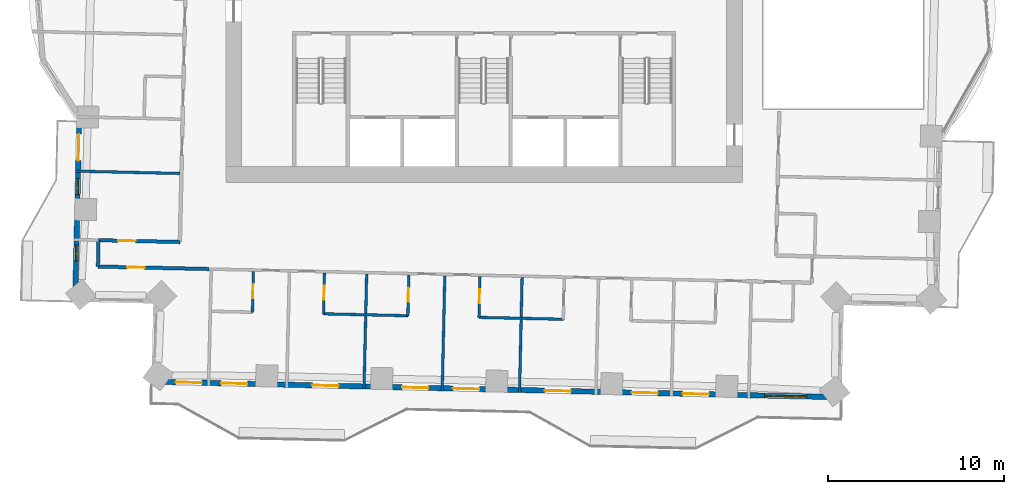
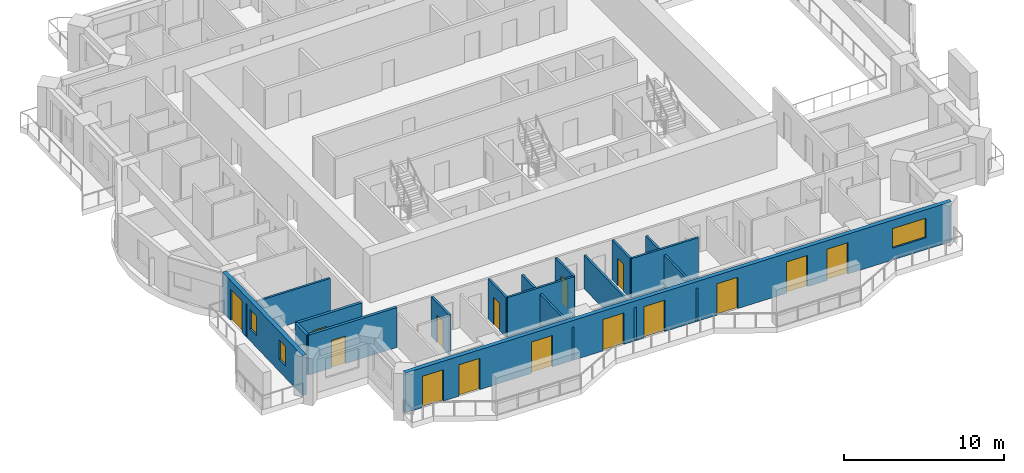
# One storey, part 4 of 14: 15 doors, 15 walls, 3 windows, 18 openings.
"""IFC4 building model written with IfcOpenShell, lengths in metres."""

from ifc_helpers import new_model, si_unit, direction, frame, frame_2d, origin, place, context, subcontext, project, spatial, rectangle, extrude, material, layer, layer_set, type_object, element, fill, save


model = new_model("IFC4")

# Units and contexts
model_context = context("Model", 3, precision=1e-05, world=origin(), true_north=direction((0.0, 1.0)))
body_context = subcontext(model_context, "Body", "Model", "MODEL_VIEW")
ifc_project = project(units=[si_unit("LENGTHUNIT", "METRE"), si_unit("AREAUNIT", "SQUARE_METRE"), si_unit("VOLUMEUNIT", "CUBIC_METRE"), si_unit("PLANEANGLEUNIT", "RADIAN"), si_unit("MASSUNIT", "GRAM", prefix="KILO")], contexts=[model_context])

# Site, building, storey
site_placement = place(None, origin())
site = spatial("IfcSite", under=ifc_project, at=site_placement, CompositionType="ELEMENT")
building_placement = place(site_placement, origin())
building = spatial("IfcBuilding", under=site, at=building_placement, Name="Mangrove Gate Tower", CompositionType="ELEMENT")
storey_placement = place(building_placement, frame((0.0, 0.0, 163.5)))
storey = spatial("IfcBuildingStorey", under=building, at=storey_placement, Name="L41", CompositionType="ELEMENT", Elevation=163.5)

# Wall
ifc_material_1 = material(Name="Gypsum board on steel stud, EI 60", Category="steel")
ifc_layer_1 = layer(ifc_material_1, 0.199951171875)
ifc_layer_set_1 = layer_set([ifc_layer_1], Name="Corridor wall EI 60")
wall_type_1 = type_object("IfcWallType", Name="Corridor wall EI 60", PredefinedType="PARTITIONING", material=ifc_layer_set_1)
wall_1_placement = place(storey_placement, frame((-21.98291015625, -16.492919921875, 0.0), z_axis=(0.0, 0.0, 1.0), x_axis=(0.022617910375, 0.999744182344, 0.0)))
element("IfcWall", 1, at=wall_1_placement, inside=storey, type_object=wall_type_1, Name="WALL-L41-022", PredefinedType="PARTITIONING", context=body_context, shape_type="SweptSolid", body=[
    extrude(rectangle(XDim=1.50048828125, YDim=0.199951171875, at=frame_2d((0.750244140625, 0.0))), origin(), (0.0, 0.0, 1.0), 3.050048828125),
])

# Wall, opening, door
wall_2_placement = place(storey_placement, frame((-21.98291015625, -16.489013671875, 0.0), z_axis=(0.0, 0.0, 1.0), x_axis=(0.999744930163, -0.022584831499, 0.0)))
wall_2 = element("IfcWall", 2, at=wall_2_placement, inside=storey, type_object=wall_type_1, Name="WALL-L41-024", PredefinedType="PARTITIONING", context=body_context, shape_type="SweptSolid", body=[
    extrude(rectangle(XDim=6.334716796875, YDim=0.199951171875, at=frame_2d((3.16748046875, 0.0))), origin(), (0.0, 0.0, 1.0), 3.050048828125),
])
opening_1_placement = place(wall_2_placement, frame((1.6630859375, 0.0, 0.0)))
opening_1 = element("IfcOpeningElement", 3, at=opening_1_placement, cuts=wall_2, Name="Opening AD", PredefinedType="OPENING", context=body_context, shape_type="SweptSolid", body=[
    extrude(rectangle(XDim=1.0, YDim=2.10009765625, at=frame_2d((0.5, 1.050048828125))), frame((0.0, 0.10986328125, 0.0), z_axis=(0.0, -1.0, 0.0), x_axis=(1.0, 0.0, 0.0)), (0.0, 0.0, 1.0), 0.219970703125),
])
ifc_material_2 = material(Name="Timber door leaf", Category="wood")
door_type_1 = type_object("IfcDoorType", Name="Amenity door 1000", OperationType="SINGLE_SWING_LEFT", PredefinedType="DOOR", material=ifc_material_2)
door_1_placement = place(opening_1_placement, origin())
door_1 = element("IfcDoor", 4, at=door_1_placement, inside=storey, type_object=door_type_1, Name="DOOR-L41-STU-c1a", OperationType="SINGLE_SWING_LEFT", OverallHeight=2.10009765625, OverallWidth=1.0, PredefinedType="DOOR", context=body_context, shape_type="SweptSolid", body=[
    extrude(rectangle(XDim=1.0, YDim=2.10009765625, at=frame_2d((0.5, 1.050048828125))), frame((0.0, 0.02490234375, 0.0), z_axis=(0.0, -1.0, 0.0), x_axis=(1.0, 0.0, 0.0)), (0.0, 0.0, 1.0), 0.050048828125),
])
fill(opening_1, door_1)

wall_3_placement = place(storey_placement, frame((-21.948974609375, -14.989013671875, 0.0), z_axis=(0.0, 0.0, 1.0), x_axis=(0.999743491588, -0.022648422179, 0.0)))
wall_3 = element("IfcWall", 5, at=wall_3_placement, inside=storey, type_object=wall_type_1, Name="WALL-L41-031", PredefinedType="PARTITIONING", context=body_context, shape_type="SweptSolid", body=[
    extrude(rectangle(XDim=4.63525390625, YDim=0.199951171875, at=frame_2d((2.317626953125, 0.0))), origin(), (0.0, 0.0, 1.0), 3.050048828125),
])
opening_2_placement = place(wall_3_placement, frame((1.116943359375, 0.0, 0.0)))
opening_2 = element("IfcOpeningElement", 6, at=opening_2_placement, cuts=wall_3, Name="Opening AD", PredefinedType="OPENING", context=body_context, shape_type="SweptSolid", body=[
    extrude(rectangle(XDim=1.0, YDim=2.10009765625, at=frame_2d((0.5, 1.050048828125))), frame((0.0, 0.10986328125, 0.0), z_axis=(0.0, -1.0, 0.0), x_axis=(1.0, 0.0, 0.0)), (0.0, 0.0, 1.0), 0.219970703125),
])
door_2_placement = place(opening_2_placement, origin())
door_2 = element("IfcDoor", 7, at=door_2_placement, inside=storey, type_object=door_type_1, Name="DOOR-L41-KIT-c5d", OperationType="SINGLE_SWING_RIGHT", OverallHeight=2.10009765625, OverallWidth=1.0, PredefinedType="DOOR", context=body_context, shape_type="SweptSolid", body=[
    extrude(rectangle(XDim=1.0, YDim=2.10009765625, at=frame_2d((0.5, 1.050048828125))), frame((0.0, 0.02490234375, 0.0), z_axis=(0.0, -1.0, 0.0), x_axis=(1.0, 0.0, 0.0)), (0.0, 0.0, 1.0), 0.050048828125),
])
fill(opening_2, door_2)

# Wall, openings, door, windows
ifc_material_3 = material(Name="Limestone", Category="masonry")
ifc_layer_2 = layer(ifc_material_3, 0.0400390625, Name="Limestone cladding")
ifc_material_4 = material(Name="Ventilated air gap")
ifc_layer_3 = layer(ifc_material_4, 0.0400390625, Name="Ventilated cavity")
ifc_material_5 = material(Name="Mineral wool insulation")
ifc_layer_4 = layer(ifc_material_5, 0.06005859375, Name="Insulation")
ifc_material_6 = material(Name="Breather membrane")
ifc_layer_5 = layer(ifc_material_6, 0.001953125, Name="Breather membrane")
ifc_material_7 = material(Name="Concrete C20/25 blockwork", Category="masonry")
ifc_layer_6 = layer(ifc_material_7, 0.14990234375, Name="Blockwork backing wall")
ifc_material_8 = material(Name="Gypsum plaster")
ifc_layer_7 = layer(ifc_material_8, 0.008056640625, Name="Internal plaster")
ifc_layer_set_2 = layer_set([ifc_layer_2, ifc_layer_3, ifc_layer_4, ifc_layer_5, ifc_layer_6, ifc_layer_7], Name="External wall 300 limestone cladding")
wall_type_2 = type_object("IfcWallType", Name="External wall 300 limestone cladding", PredefinedType="SOLIDWALL", material=ifc_layer_set_2)
wall_4_placement = place(storey_placement, frame((-23.0380859375, -7.9130859375, 0.0), z_axis=(0.0, 0.0, 1.0), x_axis=(-0.022705985163, -0.999742185885, 0.0)))
wall_4 = element("IfcWall", 8, at=wall_4_placement, inside=storey, type_object=wall_type_2, Name="WALL-L41-W10", PredefinedType="SOLIDWALL", context=body_context, shape_type="SweptSolid", body=[
    extrude(rectangle(XDim=10.4296875, YDim=0.300048828125, at=frame_2d((5.21484375, 0.0))), origin(), (0.0, 0.0, 1.0), 3.050048828125),
])
opening_3_placement = place(wall_4_placement, frame((1.041015625, 0.0, 0.0)))
opening_3 = element("IfcOpeningElement", 9, at=opening_3_placement, cuts=wall_4, Name="Opening BD1", PredefinedType="OPENING", context=body_context, shape_type="SweptSolid", body=[
    extrude(rectangle(XDim=1.5, YDim=2.39990234375, at=frame_2d((0.75, 1.199951171875))), frame((0.0, 0.159912109375, 0.0), z_axis=(0.0, -1.0, 0.0), x_axis=(1.0, 0.0, 0.0)), (0.0, 0.0, 1.0), 0.320068359375),
])
opening_4_placement = place(wall_4_placement, frame((3.572998046875, 0.0, 0.89990234375)))
opening_4 = element("IfcOpeningElement", 10, at=opening_4_placement, cuts=wall_4, Name="Opening W5", PredefinedType="OPENING", context=body_context, shape_type="SweptSolid", body=[
    extrude(rectangle(XDim=0.89990234375, YDim=1.5, at=frame_2d((0.449951171875, 0.75))), frame((0.0, 0.159912109375, 0.0), z_axis=(0.0, -1.0, 0.0), x_axis=(1.0, 0.0, 0.0)), (0.0, 0.0, 1.0), 0.320068359375),
])
opening_5_placement = place(wall_4_placement, frame((7.35302734375, 0.0, 0.89990234375)))
opening_5 = element("IfcOpeningElement", 11, at=opening_5_placement, cuts=wall_4, Name="Opening W5", PredefinedType="OPENING", context=body_context, shape_type="SweptSolid", body=[
    extrude(rectangle(XDim=0.89990234375, YDim=1.5, at=frame_2d((0.449951171875, 0.75))), frame((0.0, 0.159912109375, 0.0), z_axis=(0.0, -1.0, 0.0), x_axis=(1.0, 0.0, 0.0)), (0.0, 0.0, 1.0), 0.320068359375),
])
ifc_material_9 = material(Name="Aluminium frame with laminated clear glass", Category="aluminium")
door_type_2 = type_object("IfcDoorType", Name="Balcony sliding door 1500x2400", OperationType="SLIDING_TO_LEFT", PredefinedType="DOOR", material=ifc_material_9)
door_3_placement = place(opening_3_placement, origin())
door_3 = element("IfcDoor", 12, at=door_3_placement, inside=storey, type_object=door_type_2, Name="DOOR-L41-W10-1", OperationType="SLIDING_TO_LEFT", OverallHeight=2.39990234375, OverallWidth=1.5, PredefinedType="DOOR", context=body_context, shape_type="SweptSolid", body=[
    extrude(rectangle(XDim=1.5, YDim=2.39990234375, at=frame_2d((0.75, 1.199951171875))), frame((0.0, 0.02490234375, 0.0), z_axis=(0.0, -1.0, 0.0), x_axis=(1.0, 0.0, 0.0)), (0.0, 0.0, 1.0), 0.050048828125),
])
fill(opening_3, door_3)
ifc_material_10 = material(Name="Aluminium frame with double-glazed low-e glass", Category="aluminium")
window_type_1 = type_object("IfcWindowType", Name="Narrow window 900x1500", PartitioningType="SINGLE_PANEL", PredefinedType="WINDOW", material=ifc_material_10)
window_1_placement = place(opening_4_placement, origin())
window_1 = element("IfcWindow", 13, at=window_1_placement, inside=storey, type_object=window_type_1, Name="WIN-L41-W10-2", OverallHeight=1.5, OverallWidth=0.89990234375, PartitioningType="SINGLE_PANEL", PredefinedType="WINDOW", context=body_context, shape_type="SweptSolid", body=[
    extrude(rectangle(XDim=0.89990234375, YDim=1.5, at=frame_2d((0.449951171875, 0.75))), frame((0.0, 0.030029296875, 0.0), z_axis=(0.0, -1.0, 0.0), x_axis=(1.0, 0.0, 0.0)), (0.0, 0.0, 1.0), 0.06005859375),
])
fill(opening_4, window_1)
window_2_placement = place(opening_5_placement, origin())
window_2 = element("IfcWindow", 14, at=window_2_placement, inside=storey, type_object=window_type_1, Name="WIN-L41-W10-3", OverallHeight=1.5, OverallWidth=0.89990234375, PartitioningType="SINGLE_PANEL", PredefinedType="WINDOW", context=body_context, shape_type="SweptSolid", body=[
    extrude(rectangle(XDim=0.89990234375, YDim=1.5, at=frame_2d((0.449951171875, 0.75))), frame((0.0, 0.030029296875, 0.0), z_axis=(0.0, -1.0, 0.0), x_axis=(1.0, 0.0, 0.0)), (0.0, 0.0, 1.0), 0.06005859375),
])
fill(opening_5, window_2)

# Wall, openings, doors, window
wall_5_placement = place(storey_placement, frame((-18.781005859375, -23.04296875, 0.0), z_axis=(0.0, 0.0, 1.0), x_axis=(0.999742794992, -0.022679150367, 0.0)))
wall_5 = element("IfcWall", 15, at=wall_5_placement, inside=storey, type_object=wall_type_2, Name="WALL-L41-S13", PredefinedType="SOLIDWALL", context=body_context, shape_type="SweptSolid", body=[
    extrude(rectangle(XDim=38.97998046875, YDim=0.300048828125, at=frame_2d((19.489990234375, 0.0))), origin(), (0.0, 0.0, 1.0), 3.050048828125),
])
opening_6_placement = place(wall_5_placement, frame((1.215087890625, 0.0, 0.0)))
opening_6 = element("IfcOpeningElement", 16, at=opening_6_placement, cuts=wall_5, Name="Opening BD1", PredefinedType="OPENING", context=body_context, shape_type="SweptSolid", body=[
    extrude(rectangle(XDim=1.5, YDim=2.39990234375, at=frame_2d((0.75, 1.199951171875))), frame((0.0, 0.159912109375, 0.0), z_axis=(0.0, -1.0, 0.0), x_axis=(1.0, 0.0, 0.0)), (0.0, 0.0, 1.0), 0.320068359375),
])
opening_7_placement = place(wall_5_placement, frame((3.81103515625, 0.0, 0.0)))
opening_7 = element("IfcOpeningElement", 17, at=opening_7_placement, cuts=wall_5, Name="Opening BD1", PredefinedType="OPENING", context=body_context, shape_type="SweptSolid", body=[
    extrude(rectangle(XDim=1.5, YDim=2.39990234375, at=frame_2d((0.75, 1.199951171875))), frame((0.0, 0.159912109375, 0.0), z_axis=(0.0, -1.0, 0.0), x_axis=(1.0, 0.0, 0.0)), (0.0, 0.0, 1.0), 0.320068359375),
])
opening_8_placement = place(wall_5_placement, frame((9.0, 0.0, 0.0)))
opening_8 = element("IfcOpeningElement", 18, at=opening_8_placement, cuts=wall_5, Name="Opening BD1", PredefinedType="OPENING", context=body_context, shape_type="SweptSolid", body=[
    extrude(rectangle(XDim=1.5, YDim=2.39990234375, at=frame_2d((0.75, 1.199951171875))), frame((0.0, 0.159912109375, 0.0), z_axis=(0.0, -1.0, 0.0), x_axis=(1.0, 0.0, 0.0)), (0.0, 0.0, 1.0), 0.320068359375),
])
opening_9_placement = place(wall_5_placement, frame((14.10888671875, 0.0, 0.0)))
opening_9 = element("IfcOpeningElement", 19, at=opening_9_placement, cuts=wall_5, Name="Opening BD1", PredefinedType="OPENING", context=body_context, shape_type="SweptSolid", body=[
    extrude(rectangle(XDim=1.5, YDim=2.39990234375, at=frame_2d((0.75, 1.199951171875))), frame((0.0, 0.159912109375, 0.0), z_axis=(0.0, -1.0, 0.0), x_axis=(1.0, 0.0, 0.0)), (0.0, 0.0, 1.0), 0.320068359375),
])
opening_10_placement = place(wall_5_placement, frame((17.008056640625, 0.0, 0.0)))
opening_10 = element("IfcOpeningElement", 20, at=opening_10_placement, cuts=wall_5, Name="Opening BD1", PredefinedType="OPENING", context=body_context, shape_type="SweptSolid", body=[
    extrude(rectangle(XDim=1.5, YDim=2.39990234375, at=frame_2d((0.75, 1.199951171875))), frame((0.0, 0.159912109375, 0.0), z_axis=(0.0, -1.0, 0.0), x_axis=(1.0, 0.0, 0.0)), (0.0, 0.0, 1.0), 0.320068359375),
])
opening_11_placement = place(wall_5_placement, frame((22.22509765625, 0.0, 0.0)))
opening_11 = element("IfcOpeningElement", 21, at=opening_11_placement, cuts=wall_5, Name="Opening BD1", PredefinedType="OPENING", context=body_context, shape_type="SweptSolid", body=[
    extrude(rectangle(XDim=1.5, YDim=2.39990234375, at=frame_2d((0.75, 1.199951171875))), frame((0.0, 0.159912109375, 0.0), z_axis=(0.0, -1.0, 0.0), x_axis=(1.0, 0.0, 0.0)), (0.0, 0.0, 1.0), 0.320068359375),
])
opening_12_placement = place(wall_5_placement, frame((27.180908203125, 0.0, 0.0)))
opening_12 = element("IfcOpeningElement", 22, at=opening_12_placement, cuts=wall_5, Name="Opening BD1", PredefinedType="OPENING", context=body_context, shape_type="SweptSolid", body=[
    extrude(rectangle(XDim=1.5, YDim=2.39990234375, at=frame_2d((0.75, 1.199951171875))), frame((0.0, 0.159912109375, 0.0), z_axis=(0.0, -1.0, 0.0), x_axis=(1.0, 0.0, 0.0)), (0.0, 0.0, 1.0), 0.320068359375),
])
opening_13_placement = place(wall_5_placement, frame((30.0791015625, 0.0, 0.0)))
opening_13 = element("IfcOpeningElement", 23, at=opening_13_placement, cuts=wall_5, Name="Opening BD1", PredefinedType="OPENING", context=body_context, shape_type="SweptSolid", body=[
    extrude(rectangle(XDim=1.5, YDim=2.39990234375, at=frame_2d((0.75, 1.199951171875))), frame((0.0, 0.159912109375, 0.0), z_axis=(0.0, -1.0, 0.0), x_axis=(1.0, 0.0, 0.0)), (0.0, 0.0, 1.0), 0.320068359375),
])
opening_14_placement = place(wall_5_placement, frame((34.7509765625, 0.0, 0.89990234375)))
opening_14 = element("IfcOpeningElement", 24, at=opening_14_placement, cuts=wall_5, Name="Opening W2", PredefinedType="OPENING", context=body_context, shape_type="SweptSolid", body=[
    extrude(rectangle(XDim=2.39990234375, YDim=1.5, at=frame_2d((1.199951171875, 0.75))), frame((0.0, 0.159912109375, 0.0), z_axis=(0.0, -1.0, 0.0), x_axis=(1.0, 0.0, 0.0)), (0.0, 0.0, 1.0), 0.320068359375),
])
door_4_placement = place(opening_6_placement, origin())
door_4 = element("IfcDoor", 25, at=door_4_placement, inside=storey, type_object=door_type_2, Name="DOOR-L41-S13-1", OperationType="SLIDING_TO_LEFT", OverallHeight=2.39990234375, OverallWidth=1.5, PredefinedType="DOOR", context=body_context, shape_type="SweptSolid", body=[
    extrude(rectangle(XDim=1.5, YDim=2.39990234375, at=frame_2d((0.75, 1.199951171875))), frame((0.0, 0.02490234375, 0.0), z_axis=(0.0, -1.0, 0.0), x_axis=(1.0, 0.0, 0.0)), (0.0, 0.0, 1.0), 0.050048828125),
])
fill(opening_6, door_4)
door_5_placement = place(opening_7_placement, origin())
door_5 = element("IfcDoor", 26, at=door_5_placement, inside=storey, type_object=door_type_2, Name="DOOR-L41-S13-2", OperationType="SLIDING_TO_LEFT", OverallHeight=2.39990234375, OverallWidth=1.5, PredefinedType="DOOR", context=body_context, shape_type="SweptSolid", body=[
    extrude(rectangle(XDim=1.5, YDim=2.39990234375, at=frame_2d((0.75, 1.199951171875))), frame((0.0, 0.02490234375, 0.0), z_axis=(0.0, -1.0, 0.0), x_axis=(1.0, 0.0, 0.0)), (0.0, 0.0, 1.0), 0.050048828125),
])
fill(opening_7, door_5)
door_6_placement = place(opening_8_placement, origin())
door_6 = element("IfcDoor", 27, at=door_6_placement, inside=storey, type_object=door_type_2, Name="DOOR-L41-S13-3", OperationType="SLIDING_TO_LEFT", OverallHeight=2.39990234375, OverallWidth=1.5, PredefinedType="DOOR", context=body_context, shape_type="SweptSolid", body=[
    extrude(rectangle(XDim=1.5, YDim=2.39990234375, at=frame_2d((0.75, 1.199951171875))), frame((0.0, 0.02490234375, 0.0), z_axis=(0.0, -1.0, 0.0), x_axis=(1.0, 0.0, 0.0)), (0.0, 0.0, 1.0), 0.050048828125),
])
fill(opening_8, door_6)
door_7_placement = place(opening_9_placement, origin())
door_7 = element("IfcDoor", 28, at=door_7_placement, inside=storey, type_object=door_type_2, Name="DOOR-L41-S13-4", OperationType="SLIDING_TO_LEFT", OverallHeight=2.39990234375, OverallWidth=1.5, PredefinedType="DOOR", context=body_context, shape_type="SweptSolid", body=[
    extrude(rectangle(XDim=1.5, YDim=2.39990234375, at=frame_2d((0.75, 1.199951171875))), frame((0.0, 0.02490234375, 0.0), z_axis=(0.0, -1.0, 0.0), x_axis=(1.0, 0.0, 0.0)), (0.0, 0.0, 1.0), 0.050048828125),
])
fill(opening_9, door_7)
door_8_placement = place(opening_10_placement, origin())
door_8 = element("IfcDoor", 29, at=door_8_placement, inside=storey, type_object=door_type_2, Name="DOOR-L41-S13-5", OperationType="SLIDING_TO_LEFT", OverallHeight=2.39990234375, OverallWidth=1.5, PredefinedType="DOOR", context=body_context, shape_type="SweptSolid", body=[
    extrude(rectangle(XDim=1.5, YDim=2.39990234375, at=frame_2d((0.75, 1.199951171875))), frame((0.0, 0.02490234375, 0.0), z_axis=(0.0, -1.0, 0.0), x_axis=(1.0, 0.0, 0.0)), (0.0, 0.0, 1.0), 0.050048828125),
])
fill(opening_10, door_8)
door_9_placement = place(opening_11_placement, origin())
door_9 = element("IfcDoor", 30, at=door_9_placement, inside=storey, type_object=door_type_2, Name="DOOR-L41-S13-6", OperationType="SLIDING_TO_LEFT", OverallHeight=2.39990234375, OverallWidth=1.5, PredefinedType="DOOR", context=body_context, shape_type="SweptSolid", body=[
    extrude(rectangle(XDim=1.5, YDim=2.39990234375, at=frame_2d((0.75, 1.199951171875))), frame((0.0, 0.02490234375, 0.0), z_axis=(0.0, -1.0, 0.0), x_axis=(1.0, 0.0, 0.0)), (0.0, 0.0, 1.0), 0.050048828125),
])
fill(opening_11, door_9)
door_10_placement = place(opening_12_placement, origin())
door_10 = element("IfcDoor", 31, at=door_10_placement, inside=storey, type_object=door_type_2, Name="DOOR-L41-S13-7", OperationType="SLIDING_TO_LEFT", OverallHeight=2.39990234375, OverallWidth=1.5, PredefinedType="DOOR", context=body_context, shape_type="SweptSolid", body=[
    extrude(rectangle(XDim=1.5, YDim=2.39990234375, at=frame_2d((0.75, 1.199951171875))), frame((0.0, 0.02490234375, 0.0), z_axis=(0.0, -1.0, 0.0), x_axis=(1.0, 0.0, 0.0)), (0.0, 0.0, 1.0), 0.050048828125),
])
fill(opening_12, door_10)
door_11_placement = place(opening_13_placement, origin())
door_11 = element("IfcDoor", 32, at=door_11_placement, inside=storey, type_object=door_type_2, Name="DOOR-L41-S13-8", OperationType="SLIDING_TO_LEFT", OverallHeight=2.39990234375, OverallWidth=1.5, PredefinedType="DOOR", context=body_context, shape_type="SweptSolid", body=[
    extrude(rectangle(XDim=1.5, YDim=2.39990234375, at=frame_2d((0.75, 1.199951171875))), frame((0.0, 0.02490234375, 0.0), z_axis=(0.0, -1.0, 0.0), x_axis=(1.0, 0.0, 0.0)), (0.0, 0.0, 1.0), 0.050048828125),
])
fill(opening_13, door_11)
ifc_material_11 = material(Name="Aluminium frame with double-glazed low-e glass", Category="aluminium")
window_type_2 = type_object("IfcWindowType", Name="Corner room window 2400x1500", PartitioningType="DOUBLE_PANEL_VERTICAL", PredefinedType="WINDOW", material=ifc_material_11)
window_3_placement = place(opening_14_placement, origin())
window_3 = element("IfcWindow", 33, at=window_3_placement, inside=storey, type_object=window_type_2, Name="WIN-L41-S13-9", OverallHeight=1.5, OverallWidth=2.39990234375, PartitioningType="DOUBLE_PANEL_VERTICAL", PredefinedType="WINDOW", context=body_context, shape_type="SweptSolid", body=[
    extrude(rectangle(XDim=2.39990234375, YDim=1.5, at=frame_2d((1.199951171875, 0.75))), frame((0.0, 0.030029296875, 0.0), z_axis=(0.0, -1.0, 0.0), x_axis=(1.0, 0.0, 0.0)), (0.0, 0.0, 1.0), 0.06005859375),
])
fill(opening_14, window_3)

# Walls
ifc_material_12 = material(Name="Gypsum board on steel stud, EI 60", Category="steel")
ifc_layer_8 = layer(ifc_material_12, 0.14990234375)
ifc_layer_set_3 = layer_set([ifc_layer_8], Name="Party wall 150 EI 60")
wall_type_3 = type_object("IfcWallType", Name="Party wall 150 EI 60", PredefinedType="PARTITIONING", material=ifc_layer_set_3)
wall_6_placement = place(storey_placement, frame((-6.8369140625, -23.464111328125, 0.0), z_axis=(0.0, 0.0, 1.0), x_axis=(0.022734104141, 0.999741546855, 0.0)))
element("IfcWall", 34, at=wall_6_placement, inside=storey, type_object=wall_type_3, Name="WALL-L41-003", PredefinedType="PARTITIONING", context=body_context, shape_type="SweptSolid", body=[
    extrude(rectangle(XDim=6.55078125, YDim=0.14990234375, at=frame_2d((3.275390625, 0.0))), origin(), (0.0, 0.0, 1.0), 2.550048828125),
])
wall_7_placement = place(storey_placement, frame((-2.387939453125, -23.56494140625, 0.0), z_axis=(0.0, 0.0, 1.0), x_axis=(0.022585945885, 0.999744904988, 0.0)))
element("IfcWall", 35, at=wall_7_placement, inside=storey, type_object=wall_type_3, Name="WALL-L41-004", PredefinedType="PARTITIONING", context=body_context, shape_type="SweptSolid", body=[
    extrude(rectangle(XDim=6.550537109375, YDim=0.14990234375, at=frame_2d((3.275390625, 0.0))), origin(), (0.0, 0.0, 1.0), 2.550048828125),
])
wall_8_placement = place(storey_placement, frame((2.010986328125, -23.6650390625, 0.0), z_axis=(0.0, 0.0, 1.0), x_axis=(0.022585104341, 0.999744923999, 0.0)))
element("IfcWall", 36, at=wall_8_placement, inside=storey, type_object=wall_type_3, Name="WALL-L41-005", PredefinedType="PARTITIONING", context=body_context, shape_type="SweptSolid", body=[
    extrude(rectangle(XDim=6.55078125, YDim=0.14990234375, at=frame_2d((3.275390625, 0.0))), origin(), (0.0, 0.0, 1.0), 2.550048828125),
])

# Wall, opening, door
wall_9_placement = place(storey_placement, frame((-13.18994140625, -19.093017578125, 0.0), z_axis=(0.0, 0.0, 1.0), x_axis=(0.02279059109, 0.999740260747, 0.0)))
wall_9 = element("IfcWall", 37, at=wall_9_placement, inside=storey, type_object=wall_type_3, Name="WALL-L41-009", PredefinedType="PARTITIONING", context=body_context, shape_type="SweptSolid", body=[
    extrude(rectangle(XDim=2.324462890625, YDim=0.14990234375, at=frame_2d((1.162109375, 0.0))), origin(), (0.0, 0.0, 1.0), 3.050048828125),
])
opening_15_placement = place(wall_9_placement, frame((0.800048828125, 0.0, 0.0)))
opening_15 = element("IfcOpeningElement", 38, at=opening_15_placement, cuts=wall_9, Name="Opening ED", PredefinedType="OPENING", context=body_context, shape_type="SweptSolid", body=[
    extrude(rectangle(XDim=0.800048828125, YDim=2.10009765625, at=frame_2d((0.39990234375, 1.050048828125))), frame((0.0, 0.0849609375, 0.0), z_axis=(0.0, -1.0, 0.0), x_axis=(1.0, 0.0, 0.0)), (0.0, 0.0, 1.0), 0.169921875),
])
ifc_material_13 = material(Name="Timber door leaf", Category="wood")
door_type_3 = type_object("IfcDoorType", Name="En-suite door 800", OperationType="SINGLE_SWING_LEFT", PredefinedType="DOOR", material=ifc_material_13)
door_12_placement = place(opening_15_placement, origin())
door_12 = element("IfcDoor", 39, at=door_12_placement, inside=storey, type_object=door_type_3, Name="DOOR-L41-ENS-c101", OperationType="SINGLE_SWING_LEFT", OverallHeight=2.10009765625, OverallWidth=0.800048828125, PredefinedType="DOOR", context=body_context, shape_type="SweptSolid", body=[
    extrude(rectangle(XDim=0.800048828125, YDim=2.10009765625, at=frame_2d((0.39990234375, 1.050048828125))), frame((0.0, 0.02490234375, 0.0), z_axis=(0.0, -1.0, 0.0), x_axis=(1.0, 0.0, 0.0)), (0.0, 0.0, 1.0), 0.050048828125),
])
fill(opening_15, door_12)

wall_10_placement = place(storey_placement, frame((-9.14111328125, -19.18505859375, 0.0), z_axis=(0.0, 0.0, 1.0), x_axis=(0.022885950011, 0.999738082346, 0.0)))
wall_10 = element("IfcWall", 40, at=wall_10_placement, inside=storey, type_object=wall_type_3, Name="WALL-L41-010", PredefinedType="PARTITIONING", context=body_context, shape_type="SweptSolid", body=[
    extrude(rectangle(XDim=2.325439453125, YDim=0.14990234375, at=frame_2d((1.16259765625, 0.0))), origin(), (0.0, 0.0, 1.0), 3.050048828125),
])
opening_16_placement = place(wall_10_placement, frame((0.800048828125, 0.0, 0.0)))
opening_16 = element("IfcOpeningElement", 41, at=opening_16_placement, cuts=wall_10, Name="Opening ED", PredefinedType="OPENING", context=body_context, shape_type="SweptSolid", body=[
    extrude(rectangle(XDim=0.800048828125, YDim=2.10009765625, at=frame_2d((0.39990234375, 1.050048828125))), frame((0.0, 0.0849609375, 0.0), z_axis=(0.0, -1.0, 0.0), x_axis=(1.0, 0.0, 0.0)), (0.0, 0.0, 1.0), 0.169921875),
])
door_13_placement = place(opening_16_placement, origin())
door_13 = element("IfcDoor", 42, at=door_13_placement, inside=storey, type_object=door_type_3, Name="DOOR-L41-ENS-c102", OperationType="SINGLE_SWING_RIGHT", OverallHeight=2.10009765625, OverallWidth=0.800048828125, PredefinedType="DOOR", context=body_context, shape_type="SweptSolid", body=[
    extrude(rectangle(XDim=0.800048828125, YDim=2.10009765625, at=frame_2d((0.39990234375, 1.050048828125))), frame((0.0, 0.02490234375, 0.0), z_axis=(0.0, -1.0, 0.0), x_axis=(1.0, 0.0, 0.0)), (0.0, 0.0, 1.0), 0.050048828125),
])
fill(opening_16, door_13)

wall_11_placement = place(storey_placement, frame((-4.342041015625, -19.2939453125, 0.0), z_axis=(0.0, 0.0, 1.0), x_axis=(0.022781023197, 0.999740478815, 0.0)))
wall_11 = element("IfcWall", 43, at=wall_11_placement, inside=storey, type_object=wall_type_3, Name="WALL-L41-011", PredefinedType="PARTITIONING", context=body_context, shape_type="SweptSolid", body=[
    extrude(rectangle(XDim=2.325439453125, YDim=0.14990234375, at=frame_2d((1.16259765625, 0.0))), origin(), (0.0, 0.0, 1.0), 3.050048828125),
])
opening_17_placement = place(wall_11_placement, frame((0.800048828125, 0.0, 0.0)))
opening_17 = element("IfcOpeningElement", 44, at=opening_17_placement, cuts=wall_11, Name="Opening ED", PredefinedType="OPENING", context=body_context, shape_type="SweptSolid", body=[
    extrude(rectangle(XDim=0.800048828125, YDim=2.10009765625, at=frame_2d((0.39990234375, 1.050048828125))), frame((0.0, 0.0849609375, 0.0), z_axis=(0.0, -1.0, 0.0), x_axis=(1.0, 0.0, 0.0)), (0.0, 0.0, 1.0), 0.169921875),
])
door_14_placement = place(opening_17_placement, origin())
door_14 = element("IfcDoor", 45, at=door_14_placement, inside=storey, type_object=door_type_3, Name="DOOR-L41-ENS-c103", OperationType="SINGLE_SWING_LEFT", OverallHeight=2.10009765625, OverallWidth=0.800048828125, PredefinedType="DOOR", context=body_context, shape_type="SweptSolid", body=[
    extrude(rectangle(XDim=0.800048828125, YDim=2.10009765625, at=frame_2d((0.39990234375, 1.050048828125))), frame((0.0, 0.02490234375, 0.0), z_axis=(0.0, -1.0, 0.0), x_axis=(1.0, 0.0, 0.0)), (0.0, 0.0, 1.0), 0.050048828125),
])
fill(opening_17, door_14)

wall_12_placement = place(storey_placement, frame((-0.29296875, -19.385986328125, 0.0), z_axis=(0.0, 0.0, 1.0), x_axis=(0.022781023197, 0.999740478815, 0.0)))
wall_12 = element("IfcWall", 46, at=wall_12_placement, inside=storey, type_object=wall_type_3, Name="WALL-L41-012", PredefinedType="PARTITIONING", context=body_context, shape_type="SweptSolid", body=[
    extrude(rectangle(XDim=2.325439453125, YDim=0.14990234375, at=frame_2d((1.16259765625, 0.0))), origin(), (0.0, 0.0, 1.0), 3.050048828125),
])
opening_18_placement = place(wall_12_placement, frame((0.800048828125, 0.0, 0.0)))
opening_18 = element("IfcOpeningElement", 47, at=opening_18_placement, cuts=wall_12, Name="Opening ED", PredefinedType="OPENING", context=body_context, shape_type="SweptSolid", body=[
    extrude(rectangle(XDim=0.800048828125, YDim=2.10009765625, at=frame_2d((0.39990234375, 1.050048828125))), frame((0.0, 0.0849609375, 0.0), z_axis=(0.0, -1.0, 0.0), x_axis=(1.0, 0.0, 0.0)), (0.0, 0.0, 1.0), 0.169921875),
])
door_15_placement = place(opening_18_placement, origin())
door_15 = element("IfcDoor", 48, at=door_15_placement, inside=storey, type_object=door_type_3, Name="DOOR-L41-ENS-c204", OperationType="SINGLE_SWING_RIGHT", OverallHeight=2.10009765625, OverallWidth=0.800048828125, PredefinedType="DOOR", context=body_context, shape_type="SweptSolid", body=[
    extrude(rectangle(XDim=0.800048828125, YDim=2.10009765625, at=frame_2d((0.39990234375, 1.050048828125))), frame((0.0, 0.02490234375, 0.0), z_axis=(0.0, -1.0, 0.0), x_axis=(1.0, 0.0, 0.0)), (0.0, 0.0, 1.0), 0.050048828125),
])
fill(opening_18, door_15)

# Walls
wall_13_placement = place(storey_placement, frame((-9.139892578125, -19.180908203125, 0.0), z_axis=(0.0, 0.0, 1.0), x_axis=(0.999741415159, -0.022739894798, 0.0)))
element("IfcWall", 49, at=wall_13_placement, inside=storey, type_object=wall_type_3, Name="WALL-L41-017", PredefinedType="PARTITIONING", context=body_context, shape_type="SweptSolid", body=[
    extrude(rectangle(XDim=4.799072265625, YDim=0.14990234375, at=frame_2d((2.3994140625, 0.0))), origin(), (0.0, 0.0, 1.0), 3.050048828125),
])
wall_14_placement = place(storey_placement, frame((-0.29296875, -19.382080078125, 0.0), z_axis=(0.0, 0.0, 1.0), x_axis=(0.999742701292, -0.022683280499, 0.0)))
element("IfcWall", 50, at=wall_14_placement, inside=storey, type_object=wall_type_3, Name="WALL-L41-018", PredefinedType="PARTITIONING", context=body_context, shape_type="SweptSolid", body=[
    extrude(rectangle(XDim=4.80029296875, YDim=0.14990234375, at=frame_2d((2.400146484375, 0.0))), origin(), (0.0, 0.0, 1.0), 3.050048828125),
])
wall_15_placement = place(storey_placement, frame((-23.260009765625, -11.05810546875, 0.0), z_axis=(0.0, 0.0, 1.0), x_axis=(0.99974128315, -0.022745697753, 0.0)))
element("IfcWall", 51, at=wall_15_placement, inside=storey, type_object=wall_type_3, Name="WALL-L41-035", PredefinedType="PARTITIONING", context=body_context, shape_type="SweptSolid", body=[
    extrude(rectangle(XDim=5.935546875, YDim=0.14990234375, at=frame_2d((2.9677734375, 0.0))), origin(), (0.0, 0.0, 1.0), 2.550048828125),
])

save(model, "model.ifc")
